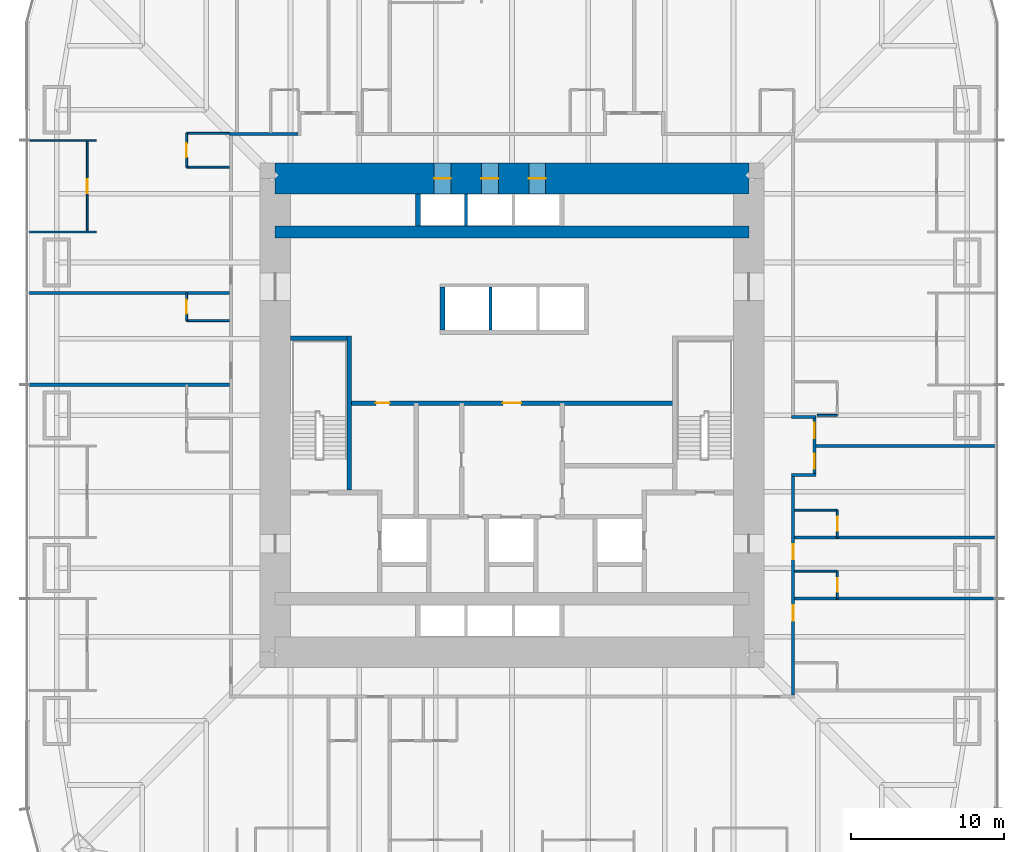
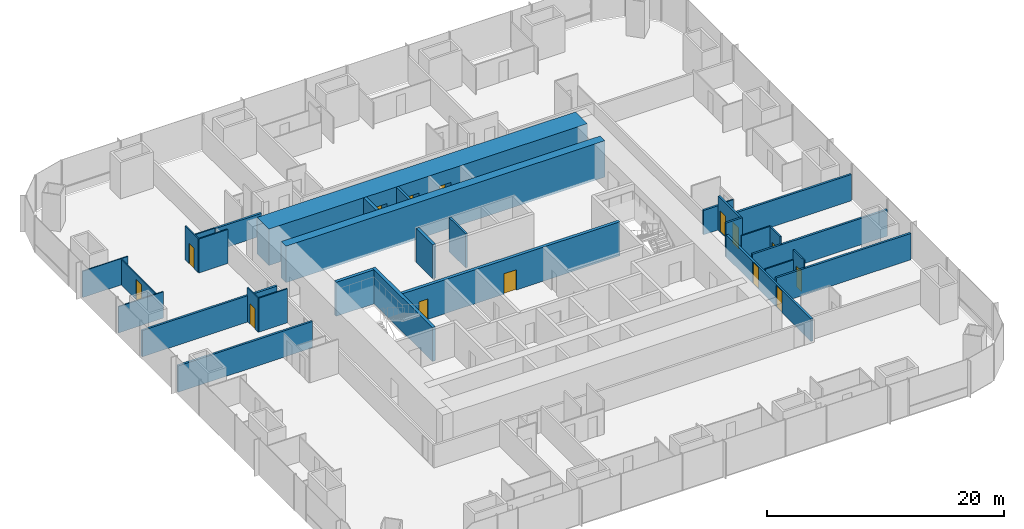
# One storey, part 14 of 17: 32 walls, 14 doors, 14 openings.
"""IFC4 building model written with IfcOpenShell, lengths in metres."""

from ifc_helpers import new_model, si_unit, direction, frame, frame_2d, origin, place, context, subcontext, project, spatial, rectangle, extrude, material, layer, layer_set, type_object, element, fill, save


model = new_model("IFC4")

# Units and contexts
model_context = context("Model", 3, precision=1e-05, world=origin(), true_north=direction((0.0, 1.0)))
body_context = subcontext(model_context, "Body", "Model", "MODEL_VIEW")
ifc_project = project(units=[si_unit("LENGTHUNIT", "METRE"), si_unit("AREAUNIT", "SQUARE_METRE"), si_unit("VOLUMEUNIT", "CUBIC_METRE"), si_unit("PLANEANGLEUNIT", "RADIAN"), si_unit("MASSUNIT", "GRAM", prefix="KILO")], contexts=[model_context])

# Site, building, storey
site_placement = place(None, origin())
site = spatial("IfcSite", under=ifc_project, at=site_placement, CompositionType="ELEMENT")
building_placement = place(site_placement, origin())
building = spatial("IfcBuilding", under=site, at=building_placement, Name="Khuree Lantern Residences", CompositionType="ELEMENT")
storey_placement = place(building_placement, frame((0.0, 0.0, 39.75)))
storey = spatial("IfcBuildingStorey", under=building, at=storey_placement, Name="L09", CompositionType="ELEMENT", Elevation=39.75)

# Wall, opening, door
ifc_material_1 = material(Name="Moisture-resistant gypsum board on steel studs", Category="steel")
ifc_layer_1 = layer(ifc_material_1, 0.125)
ifc_layer_set_1 = layer_set([ifc_layer_1], Name="BATHROOM WALL BTW125")
wall_type_1 = type_object("IfcWallType", Name="BATHROOM WALL BTW125", PredefinedType="PARTITIONING", material=ifc_layer_set_1)
wall_1_placement = place(storey_placement, frame((21.300048828125, -8.0, 0.0), z_axis=(0.0, 0.0, 1.0), x_axis=(0.0, 1.0, 0.0)))
wall_1 = element("IfcWall", 1, at=wall_1_placement, inside=storey, type_object=wall_type_1, Name="L09 BATHROOM WALL 01", PredefinedType="PARTITIONING", context=body_context, shape_type="SweptSolid", body=[
    extrude(rectangle(XDim=1.800048828125, YDim=0.125, at=frame_2d((0.89990234375, 0.0))), origin(), (0.0, 0.0, 1.0), 3.5),
])
opening_1_placement = place(wall_1_placement, frame((0.449951171875, 0.0, 0.0)))
opening_1 = element("IfcOpeningElement", 2, at=opening_1_placement, cuts=wall_1, Name="Opening 09-020", PredefinedType="OPENING", context=body_context, shape_type="SweptSolid", body=[
    extrude(rectangle(XDim=0.89990234375, YDim=2.10009765625, at=frame_2d((0.449951171875, 1.050048828125))), frame((0.0, 0.072509765625, 0.0), z_axis=(0.0, -1.0, 0.0), x_axis=(1.0, 0.0, 0.0)), (0.0, 0.0, 1.0), 0.14501953125),
])
ifc_material_2 = material(Name="Timber door leaf in hardwood frame", Category="wood")
door_type_1 = type_object("IfcDoorType", Name="BATHROOM DOOR 900X2100", OperationType="SINGLE_SWING_LEFT", PredefinedType="DOOR", material=ifc_material_2)
door_1_placement = place(opening_1_placement, origin())
door_1 = element("IfcDoor", 3, at=door_1_placement, inside=storey, type_object=door_type_1, Name="Bathroom door 09-020", OperationType="SINGLE_SWING_LEFT", OverallHeight=2.10009765625, OverallWidth=0.89990234375, PredefinedType="DOOR", context=body_context, shape_type="SweptSolid", body=[
    extrude(rectangle(XDim=0.89990234375, YDim=2.10009765625, at=frame_2d((0.449951171875, 1.050048828125))), frame((0.0, 0.02490234375, 0.0), z_axis=(0.0, -1.0, 0.0), x_axis=(1.0, 0.0, 0.0)), (0.0, 0.0, 1.0), 0.050048828125),
])
fill(opening_1, door_1)

# Walls
wall_2_placement = place(storey_placement, frame((18.5, -6.199951171875, 0.0), z_axis=(0.0, 0.0, 1.0), x_axis=(1.0, 0.0, 0.0)))
element("IfcWall", 4, at=wall_2_placement, inside=storey, type_object=wall_type_1, Name="L09 BATHROOM WALL 01", PredefinedType="PARTITIONING", context=body_context, shape_type="SweptSolid", body=[
    extrude(rectangle(XDim=2.800048828125, YDim=0.125, at=frame_2d((1.39990234375, 0.0))), origin(), (0.0, 0.0, 1.0), 3.5),
])
wall_3_placement = place(storey_placement, frame((19.969970703125, 0.0, 0.0), z_axis=(0.0, 0.0, 1.0), x_axis=(1.0, 0.0, 0.0)))
element("IfcWall", 5, at=wall_3_placement, inside=storey, type_object=wall_type_1, Name="L09 BATHROOM WALL 02", PredefinedType="PARTITIONING", context=body_context, shape_type="SweptSolid", body=[
    extrude(rectangle(XDim=1.330078125, YDim=0.125, at=frame_2d((0.6650390625, 0.0))), origin(), (0.0, 0.0, 1.0), 2.491943359375),
])

# Wall, opening, door
wall_4_placement = place(storey_placement, frame((-21.300048828125, 18.449951171875, 0.0), z_axis=(0.0, 0.0, 1.0), x_axis=(0.0, -1.0, 0.0)))
wall_4 = element("IfcWall", 6, at=wall_4_placement, inside=storey, type_object=wall_type_1, Name="L09 BATHROOM WALL 07", PredefinedType="PARTITIONING", context=body_context, shape_type="SweptSolid", body=[
    extrude(rectangle(XDim=2.199951171875, YDim=0.125, at=frame_2d((1.10009765625, 0.0))), origin(), (0.0, 0.0, 1.0), 3.5),
])
opening_2_placement = place(wall_4_placement, frame((0.64990234375, 0.0, 0.0)))
opening_2 = element("IfcOpeningElement", 7, at=opening_2_placement, cuts=wall_4, Name="Opening 09-039", PredefinedType="OPENING", context=body_context, shape_type="SweptSolid", body=[
    extrude(rectangle(XDim=0.89990234375, YDim=2.10009765625, at=frame_2d((0.449951171875, 1.050048828125))), frame((0.0, 0.072509765625, 0.0), z_axis=(0.0, -1.0, 0.0), x_axis=(1.0, 0.0, 0.0)), (0.0, 0.0, 1.0), 0.14501953125),
])
door_2_placement = place(opening_2_placement, origin())
door_2 = element("IfcDoor", 8, at=door_2_placement, inside=storey, type_object=door_type_1, Name="Bathroom door 09-039", OperationType="SINGLE_SWING_LEFT", OverallHeight=2.10009765625, OverallWidth=0.89990234375, PredefinedType="DOOR", context=body_context, shape_type="SweptSolid", body=[
    extrude(rectangle(XDim=0.89990234375, YDim=2.10009765625, at=frame_2d((0.449951171875, 1.050048828125))), frame((0.0, 0.02490234375, 0.0), z_axis=(0.0, -1.0, 0.0), x_axis=(1.0, 0.0, 0.0)), (0.0, 0.0, 1.0), 0.050048828125),
])
fill(opening_2, door_2)

# Walls
wall_5_placement = place(storey_placement, frame((-18.5, 18.449951171875, 0.0), z_axis=(0.0, 0.0, 1.0), x_axis=(-1.0, 0.0, 0.0)))
element("IfcWall", 9, at=wall_5_placement, inside=storey, type_object=wall_type_1, Name="L09 BATHROOM WALL 07", PredefinedType="PARTITIONING", context=body_context, shape_type="SweptSolid", body=[
    extrude(rectangle(XDim=2.800048828125, YDim=0.125, at=frame_2d((1.39990234375, 0.0))), origin(), (0.0, 0.0, 1.0), 2.300048828125),
])
wall_6_placement = place(storey_placement, frame((-18.5, 16.25, 0.0), z_axis=(0.0, 0.0, 1.0), x_axis=(-1.0, 0.0, 0.0)))
element("IfcWall", 10, at=wall_6_placement, inside=storey, type_object=wall_type_1, Name="L09 BATHROOM WALL 07", PredefinedType="PARTITIONING", context=body_context, shape_type="SweptSolid", body=[
    extrude(rectangle(XDim=2.800048828125, YDim=0.125, at=frame_2d((1.39990234375, 0.0))), origin(), (0.0, 0.0, 1.0), 3.5),
])

# Wall, opening, door
wall_7_placement = place(storey_placement, frame((-21.300048828125, 8.0, 0.0), z_axis=(0.0, 0.0, 1.0), x_axis=(0.0, -1.0, 0.0)))
wall_7 = element("IfcWall", 11, at=wall_7_placement, inside=storey, type_object=wall_type_1, Name="L09 BATHROOM WALL 08", PredefinedType="PARTITIONING", context=body_context, shape_type="SweptSolid", body=[
    extrude(rectangle(XDim=1.800048828125, YDim=0.125, at=frame_2d((0.89990234375, 0.0))), origin(), (0.0, 0.0, 1.0), 3.5),
])
opening_3_placement = place(wall_7_placement, frame((0.449951171875, 0.0, 0.0)))
opening_3 = element("IfcOpeningElement", 12, at=opening_3_placement, cuts=wall_7, Name="Opening 09-041", PredefinedType="OPENING", context=body_context, shape_type="SweptSolid", body=[
    extrude(rectangle(XDim=0.89990234375, YDim=2.10009765625, at=frame_2d((0.449951171875, 1.050048828125))), frame((0.0, 0.072509765625, 0.0), z_axis=(0.0, -1.0, 0.0), x_axis=(1.0, 0.0, 0.0)), (0.0, 0.0, 1.0), 0.14501953125),
])
door_3_placement = place(opening_3_placement, origin())
door_3 = element("IfcDoor", 13, at=door_3_placement, inside=storey, type_object=door_type_1, Name="Bathroom door 09-041", OperationType="SINGLE_SWING_LEFT", OverallHeight=2.10009765625, OverallWidth=0.89990234375, PredefinedType="DOOR", context=body_context, shape_type="SweptSolid", body=[
    extrude(rectangle(XDim=0.89990234375, YDim=2.10009765625, at=frame_2d((0.449951171875, 1.050048828125))), frame((0.0, 0.02490234375, 0.0), z_axis=(0.0, -1.0, 0.0), x_axis=(1.0, 0.0, 0.0)), (0.0, 0.0, 1.0), 0.050048828125),
])
fill(opening_3, door_3)

# Wall
wall_8_placement = place(storey_placement, frame((-18.5, 6.199951171875, 0.0), z_axis=(0.0, 0.0, 1.0), x_axis=(-1.0, 0.0, 0.0)))
element("IfcWall", 14, at=wall_8_placement, inside=storey, type_object=wall_type_1, Name="L09 BATHROOM WALL 08", PredefinedType="PARTITIONING", context=body_context, shape_type="SweptSolid", body=[
    extrude(rectangle(XDim=2.800048828125, YDim=0.125, at=frame_2d((1.39990234375, 0.0))), origin(), (0.0, 0.0, 1.0), 3.5),
])

# Wall, opening, door
wall_9_placement = place(storey_placement, frame((21.300048828125, -12.0, 0.0), z_axis=(0.0, 0.0, 1.0), x_axis=(0.0, 1.0, 0.0)))
wall_9 = element("IfcWall", 15, at=wall_9_placement, inside=storey, type_object=wall_type_1, Name="L09 BATHROOM WALL 13", PredefinedType="PARTITIONING", context=body_context, shape_type="SweptSolid", body=[
    extrude(rectangle(XDim=1.800048828125, YDim=0.125, at=frame_2d((0.89990234375, 0.0))), origin(), (0.0, 0.0, 1.0), 3.5),
])
opening_4_placement = place(wall_9_placement, frame((0.449951171875, 0.0, 0.0)))
opening_4 = element("IfcOpeningElement", 16, at=opening_4_placement, cuts=wall_9, Name="Opening 09-061", PredefinedType="OPENING", context=body_context, shape_type="SweptSolid", body=[
    extrude(rectangle(XDim=0.89990234375, YDim=2.10009765625, at=frame_2d((0.449951171875, 1.050048828125))), frame((0.0, 0.072509765625, 0.0), z_axis=(0.0, -1.0, 0.0), x_axis=(1.0, 0.0, 0.0)), (0.0, 0.0, 1.0), 0.14501953125),
])
door_4_placement = place(opening_4_placement, origin())
door_4 = element("IfcDoor", 17, at=door_4_placement, inside=storey, type_object=door_type_1, Name="Bathroom door 09-061", OperationType="SINGLE_SWING_LEFT", OverallHeight=2.10009765625, OverallWidth=0.89990234375, PredefinedType="DOOR", context=body_context, shape_type="SweptSolid", body=[
    extrude(rectangle(XDim=0.89990234375, YDim=2.10009765625, at=frame_2d((0.449951171875, 1.050048828125))), frame((0.0, 0.02490234375, 0.0), z_axis=(0.0, -1.0, 0.0), x_axis=(1.0, 0.0, 0.0)), (0.0, 0.0, 1.0), 0.050048828125),
])
fill(opening_4, door_4)

# Walls
wall_10_placement = place(storey_placement, frame((18.5, -10.199951171875, 0.0), z_axis=(0.0, 0.0, 1.0), x_axis=(1.0, 0.0, 0.0)))
element("IfcWall", 18, at=wall_10_placement, inside=storey, type_object=wall_type_1, Name="L09 BATHROOM WALL 13", PredefinedType="PARTITIONING", context=body_context, shape_type="SweptSolid", body=[
    extrude(rectangle(XDim=2.800048828125, YDim=0.125, at=frame_2d((1.39990234375, 0.0))), origin(), (0.0, 0.0, 1.0), 2.491943359375),
])
ifc_material_3 = material(Name="Dense concrete blockwork", Category="masonry")
ifc_layer_2 = layer(ifc_material_3, 0.300048828125)
ifc_layer_set_2 = layer_set([ifc_layer_2], Name="CORE PARTITION WALL CPW300 EI 120")
wall_type_2 = type_object("IfcWallType", Name="CORE PARTITION WALL CPW300 EI 120", PredefinedType="PARTITIONING", material=ifc_layer_set_2)
wall_11_placement = place(storey_placement, frame((-4.550048828125, 5.60009765625, 0.0), z_axis=(0.0, 0.0, 1.0), x_axis=(0.0, 1.0, 0.0)))
element("IfcWall", 19, at=wall_11_placement, inside=storey, type_object=wall_type_2, Name="L09 CORE WALL PHW", PredefinedType="PARTITIONING", context=body_context, shape_type="SweptSolid", body=[
    extrude(rectangle(XDim=2.7998046875, YDim=0.300048828125, at=frame_2d((1.39990234375, 0.0))), origin(), (0.0, 0.0, 1.0), 3.5),
])
wall_12_placement = place(storey_placement, frame((-6.14990234375, 12.39990234375, 0.0), z_axis=(0.0, 0.0, 1.0), x_axis=(0.0, 1.0, 0.0)))
element("IfcWall", 20, at=wall_12_placement, inside=storey, type_object=wall_type_2, Name="L09 CORE WALL PLW", PredefinedType="PARTITIONING", context=body_context, shape_type="SweptSolid", body=[
    extrude(rectangle(XDim=2.10009765625, YDim=0.300048828125, at=frame_2d((1.050048828125, 0.0))), origin(), (0.0, 0.0, 1.0), 3.5),
])

# Wall, openings, doors
wall_13_placement = place(storey_placement, frame((-10.64990234375, 0.800048828125, 0.0), z_axis=(0.0, 0.0, 1.0), x_axis=(1.0, 0.0, 0.0)))
wall_13 = element("IfcWall", 21, at=wall_13_placement, inside=storey, type_object=wall_type_2, Name="L09 CORE WALL LLS", PredefinedType="PARTITIONING", context=body_context, shape_type="SweptSolid", body=[
    extrude(rectangle(XDim=21.2998046875, YDim=0.300048828125, at=frame_2d((10.64990234375, 0.0))), origin(), (0.0, 0.0, 1.0), 3.5),
])
opening_5_placement = place(wall_13_placement, frame((10.050048828125, 0.0, 0.0)))
opening_5 = element("IfcOpeningElement", 22, at=opening_5_placement, cuts=wall_13, Name="Opening 09-013", PredefinedType="OPENING", context=body_context, shape_type="SweptSolid", body=[
    extrude(rectangle(XDim=1.199951171875, YDim=2.10009765625, at=frame_2d((0.60009765625, 1.050048828125))), frame((0.0, 0.16015625, 0.0), z_axis=(0.0, -1.0, 0.0), x_axis=(1.0, 0.0, 0.0)), (0.0, 0.0, 1.0), 0.320068359375),
])
opening_6_placement = place(wall_13_placement, frame((1.739990234375, 0.0, 0.0)))
opening_6 = element("IfcOpeningElement", 23, at=opening_6_placement, cuts=wall_13, Name="Opening 09-017", PredefinedType="OPENING", context=body_context, shape_type="SweptSolid", body=[
    extrude(rectangle(XDim=0.89990234375, YDim=2.10009765625, at=frame_2d((0.449951171875, 1.050048828125))), frame((0.0, 0.16015625, 0.0), z_axis=(0.0, -1.0, 0.0), x_axis=(1.0, 0.0, 0.0)), (0.0, 0.0, 1.0), 0.320068359375),
])
ifc_material_4 = material(Name="Steel door leaf in steel frame", Category="steel")
door_type_2 = type_object("IfcDoorType", Name="DOOR 1200X2100 EI 60", OperationType="SINGLE_SWING_LEFT", PredefinedType="DOOR", material=ifc_material_4)
door_5_placement = place(opening_5_placement, origin())
door_5 = element("IfcDoor", 24, at=door_5_placement, inside=storey, type_object=door_type_2, Name="Service lift lobby door 09-013", OperationType="SINGLE_SWING_LEFT", OverallHeight=2.10009765625, OverallWidth=1.199951171875, PredefinedType="DOOR", context=body_context, shape_type="SweptSolid", body=[
    extrude(rectangle(XDim=1.199951171875, YDim=2.10009765625, at=frame_2d((0.60009765625, 1.050048828125))), frame((0.0, 0.02490234375, 0.0), z_axis=(0.0, -1.0, 0.0), x_axis=(1.0, 0.0, 0.0)), (0.0, 0.0, 1.0), 0.050048828125),
])
fill(opening_5, door_5)
door_type_3 = type_object("IfcDoorType", Name="DOOR 900X2100", OperationType="SINGLE_SWING_LEFT", PredefinedType="DOOR", material=ifc_material_2)
door_6_placement = place(opening_6_placement, origin())
door_6 = element("IfcDoor", 25, at=door_6_placement, inside=storey, type_object=door_type_3, Name="Residents' store door 09-017", OperationType="SINGLE_SWING_LEFT", OverallHeight=2.10009765625, OverallWidth=0.89990234375, PredefinedType="DOOR", context=body_context, shape_type="SweptSolid", body=[
    extrude(rectangle(XDim=0.89990234375, YDim=2.10009765625, at=frame_2d((0.449951171875, 1.050048828125))), frame((0.0, 0.02490234375, 0.0), z_axis=(0.0, -1.0, 0.0), x_axis=(1.0, 0.0, 0.0)), (0.0, 0.0, 1.0), 0.050048828125),
])
fill(opening_6, door_6)

ifc_material_5 = material(Name="Gypsum board on steel studs", Category="steel")
ifc_layer_3 = layer(ifc_material_5, 0.199951171875)
ifc_layer_set_3 = layer_set([ifc_layer_3], Name="CORRIDOR WALL CRW200 EI 60")
wall_type_3 = type_object("IfcWallType", Name="CORRIDOR WALL CRW200 EI 60", PredefinedType="PARTITIONING", material=ifc_layer_set_3)
wall_14_placement = place(storey_placement, frame((18.39990234375, -18.300048828125, 0.0), z_axis=(0.0, 0.0, 1.0), x_axis=(0.0, 1.0, 0.0)))
wall_14 = element("IfcWall", 26, at=wall_14_placement, inside=storey, type_object=wall_type_3, Name="L09 CORRIDOR WALL EAST 1", PredefinedType="PARTITIONING", context=body_context, shape_type="SweptSolid", body=[
    extrude(rectangle(XDim=14.300048828125, YDim=0.199951171875, at=frame_2d((7.14990234375, 0.0))), origin(), (0.0, 0.0, 1.0), 2.300048828125),
])
opening_7_placement = place(wall_14_placement, frame((4.8701171875, 0.0, 0.0)))
opening_7 = element("IfcOpeningElement", 27, at=opening_7_placement, cuts=wall_14, Name="Opening 09-060", PredefinedType="OPENING", context=body_context, shape_type="SweptSolid", body=[
    extrude(rectangle(XDim=1.0, YDim=2.199951171875, at=frame_2d((0.5, 1.10009765625))), frame((0.0, 0.10986328125, 0.0), z_axis=(0.0, -1.0, 0.0), x_axis=(1.0, 0.0, 0.0)), (0.0, 0.0, 1.0), 0.219970703125),
])
opening_8_placement = place(wall_14_placement, frame((8.8701171875, 0.0, 0.0)))
opening_8 = element("IfcOpeningElement", 28, at=opening_8_placement, cuts=wall_14, Name="Opening 09-062", PredefinedType="OPENING", context=body_context, shape_type="SweptSolid", body=[
    extrude(rectangle(XDim=1.0, YDim=2.199951171875, at=frame_2d((0.5, 1.10009765625))), frame((0.0, 0.10986328125, 0.0), z_axis=(0.0, -1.0, 0.0), x_axis=(1.0, 0.0, 0.0)), (0.0, 0.0, 1.0), 0.219970703125),
])
door_type_4 = type_object("IfcDoorType", Name="APARTMENT ENTRANCE DOOR 1000X2200 EI 30S", OperationType="SINGLE_SWING_LEFT", PredefinedType="DOOR", material=ifc_material_2)
door_7_placement = place(opening_7_placement, origin())
door_7 = element("IfcDoor", 29, at=door_7_placement, inside=storey, type_object=door_type_4, Name="Apartment 12 entrance door 09-060", OperationType="SINGLE_SWING_LEFT", OverallHeight=2.199951171875, OverallWidth=1.0, PredefinedType="DOOR", context=body_context, shape_type="SweptSolid", body=[
    extrude(rectangle(XDim=1.0, YDim=2.199951171875, at=frame_2d((0.5, 1.10009765625))), frame((0.0, 0.02490234375, 0.0), z_axis=(0.0, -1.0, 0.0), x_axis=(1.0, 0.0, 0.0)), (0.0, 0.0, 1.0), 0.050048828125),
])
fill(opening_7, door_7)
door_8_placement = place(opening_8_placement, origin())
door_8 = element("IfcDoor", 30, at=door_8_placement, inside=storey, type_object=door_type_4, Name="Apartment 13 entrance door 09-062", OperationType="SINGLE_SWING_LEFT", OverallHeight=2.199951171875, OverallWidth=1.0, PredefinedType="DOOR", context=body_context, shape_type="SweptSolid", body=[
    extrude(rectangle(XDim=1.0, YDim=2.199951171875, at=frame_2d((0.5, 1.10009765625))), frame((0.0, 0.02490234375, 0.0), z_axis=(0.0, -1.0, 0.0), x_axis=(1.0, 0.0, 0.0)), (0.0, 0.0, 1.0), 0.050048828125),
])
fill(opening_8, door_8)

# Walls
wall_15_placement = place(storey_placement, frame((18.300048828125, -3.89990234375, 0.0), z_axis=(0.0, 0.0, 1.0), x_axis=(1.0, 0.0, 0.0)))
element("IfcWall", 31, at=wall_15_placement, inside=storey, type_object=wall_type_3, Name="L09 CORRIDOR ALCOVE WALL EAST", PredefinedType="PARTITIONING", context=body_context, shape_type="SweptSolid", body=[
    extrude(rectangle(XDim=1.599853515625, YDim=0.199951171875, at=frame_2d((0.7998046875, 0.0))), origin(), (0.0, 0.0, 1.0), 3.5),
])
wall_16_placement = place(storey_placement, frame((18.300048828125, -0.10009765625, 0.0), z_axis=(0.0, 0.0, 1.0), x_axis=(1.0, 0.0, 0.0)))
element("IfcWall", 32, at=wall_16_placement, inside=storey, type_object=wall_type_3, Name="L09 CORRIDOR ALCOVE WALL EAST", PredefinedType="PARTITIONING", context=body_context, shape_type="SweptSolid", body=[
    extrude(rectangle(XDim=1.599853515625, YDim=0.199951171875, at=frame_2d((0.7998046875, 0.0))), origin(), (0.0, 0.0, 1.0), 2.491943359375),
])

# Wall, openings, doors
wall_17_placement = place(storey_placement, frame((19.800048828125, -3.800048828125, 0.0), z_axis=(0.0, 0.0, 1.0), x_axis=(0.0, 1.0, 0.0)))
wall_17 = element("IfcWall", 33, at=wall_17_placement, inside=storey, type_object=wall_type_3, Name="L09 CORRIDOR ALCOVE WALL EAST", PredefinedType="PARTITIONING", context=body_context, shape_type="SweptSolid", body=[
    extrude(rectangle(XDim=3.60009765625, YDim=0.199951171875, at=frame_2d((1.800048828125, 0.0))), origin(), (0.0, 0.0, 1.0), 3.5),
])
opening_9_placement = place(wall_17_placement, frame((0.300048828125, 0.0, 0.0)))
opening_9 = element("IfcOpeningElement", 34, at=opening_9_placement, cuts=wall_17, Name="Opening 09-021", PredefinedType="OPENING", context=body_context, shape_type="SweptSolid", body=[
    extrude(rectangle(XDim=1.0, YDim=2.199951171875, at=frame_2d((0.5, 1.10009765625))), frame((0.0, 0.10986328125, 0.0), z_axis=(0.0, -1.0, 0.0), x_axis=(1.0, 0.0, 0.0)), (0.0, 0.0, 1.0), 0.219970703125),
])
opening_10_placement = place(wall_17_placement, frame((2.300048828125, 0.0, 0.0)))
opening_10 = element("IfcOpeningElement", 35, at=opening_10_placement, cuts=wall_17, Name="Opening 09-025", PredefinedType="OPENING", context=body_context, shape_type="SweptSolid", body=[
    extrude(rectangle(XDim=1.0, YDim=2.199951171875, at=frame_2d((0.5, 1.10009765625))), frame((0.0, 0.10986328125, 0.0), z_axis=(0.0, -1.0, 0.0), x_axis=(1.0, 0.0, 0.0)), (0.0, 0.0, 1.0), 0.219970703125),
])
door_9_placement = place(opening_9_placement, origin())
door_9 = element("IfcDoor", 36, at=door_9_placement, inside=storey, type_object=door_type_4, Name="Apartment 01 entrance door 09-021", OperationType="SINGLE_SWING_LEFT", OverallHeight=2.199951171875, OverallWidth=1.0, PredefinedType="DOOR", context=body_context, shape_type="SweptSolid", body=[
    extrude(rectangle(XDim=1.0, YDim=2.199951171875, at=frame_2d((0.5, 1.10009765625))), frame((0.0, 0.02490234375, 0.0), z_axis=(0.0, -1.0, 0.0), x_axis=(1.0, 0.0, 0.0)), (0.0, 0.0, 1.0), 0.050048828125),
])
fill(opening_9, door_9)
door_type_5 = type_object("IfcDoorType", Name="APARTMENT ENTRANCE DOOR 1000X2200 EI 30S RIGHT HAND", OperationType="SINGLE_SWING_RIGHT", PredefinedType="DOOR", material=ifc_material_2)
door_10_placement = place(opening_10_placement, origin())
door_10 = element("IfcDoor", 37, at=door_10_placement, inside=storey, type_object=door_type_5, Name="Apartment 02 entrance door 09-025", OperationType="SINGLE_SWING_RIGHT", OverallHeight=2.199951171875, OverallWidth=1.0, PredefinedType="DOOR", context=body_context, shape_type="SweptSolid", body=[
    extrude(rectangle(XDim=1.0, YDim=2.199951171875, at=frame_2d((0.5, 1.10009765625))), frame((0.0, 0.02490234375, 0.0), z_axis=(0.0, -1.0, 0.0), x_axis=(1.0, 0.0, 0.0)), (0.0, 0.0, 1.0), 0.050048828125),
])
fill(opening_10, door_10)

# Wall
wall_18_placement = place(storey_placement, frame((-18.5, 18.39990234375, 0.0), z_axis=(0.0, 0.0, 1.0), x_axis=(1.0, 0.0, 0.0)))
element("IfcWall", 38, at=wall_18_placement, inside=storey, type_object=wall_type_3, Name="L09 CORRIDOR WALL NORTH 1", PredefinedType="PARTITIONING", context=body_context, shape_type="SweptSolid", body=[
    extrude(rectangle(XDim=4.5, YDim=0.199951171875, at=frame_2d((2.25, 0.0))), origin(), (0.0, 0.0, 1.0), 2.300048828125),
])

# Wall, openings, doors
ifc_material_6 = material(Name="Concrete C70/85", Category="concrete")
ifc_layer_4 = layer(ifc_material_6, 2.0)
ifc_layer_set_4 = layer_set([ifc_layer_4], Name="CW2000-C70 CORE WALL C70 2000")
wall_type_4 = type_object("IfcWallType", Name="CW2000-C70 CORE WALL C70 2000", PredefinedType="SHEAR", material=ifc_layer_set_4)
wall_19_placement = place(storey_placement, frame((-15.5, 15.5, -0.25), z_axis=(0.0, 0.0, 1.0), x_axis=(1.0, 0.0, 0.0)))
wall_19 = element("IfcWall", 39, at=wall_19_placement, inside=storey, type_object=wall_type_4, Name="Core wall N", PredefinedType="SHEAR", context=body_context, shape_type="SweptSolid", body=[
    extrude(rectangle(XDim=31.0, YDim=2.0, at=frame_2d((15.5, 0.0))), origin(), (0.0, 0.0, 1.0), 3.75),
])
opening_11_placement = place(wall_19_placement, frame((10.39990234375, 0.0, 0.25)))
opening_11 = element("IfcOpeningElement", 40, at=opening_11_placement, cuts=wall_19, Name="Opening 09-009", PredefinedType="OPENING", context=body_context, shape_type="SweptSolid", body=[
    extrude(rectangle(XDim=1.10009765625, YDim=2.10009765625, at=frame_2d((0.550048828125, 1.050048828125))), frame((0.0, 1.010009765625, 0.0), z_axis=(0.0, -1.0, 0.0), x_axis=(1.0, 0.0, 0.0)), (0.0, 0.0, 1.0), 2.02001953125),
])
opening_12_placement = place(wall_19_placement, frame((13.5, 0.0, 0.25)))
opening_12 = element("IfcOpeningElement", 41, at=opening_12_placement, cuts=wall_19, Name="Opening 09-010", PredefinedType="OPENING", context=body_context, shape_type="SweptSolid", body=[
    extrude(rectangle(XDim=1.10009765625, YDim=2.10009765625, at=frame_2d((0.550048828125, 1.050048828125))), frame((0.0, 1.010009765625, 0.0), z_axis=(0.0, -1.0, 0.0), x_axis=(1.0, 0.0, 0.0)), (0.0, 0.0, 1.0), 2.02001953125),
])
opening_13_placement = place(wall_19_placement, frame((16.60009765625, 0.0, 0.25)))
opening_13 = element("IfcOpeningElement", 42, at=opening_13_placement, cuts=wall_19, Name="Opening 09-011", PredefinedType="OPENING", context=body_context, shape_type="SweptSolid", body=[
    extrude(rectangle(XDim=1.10009765625, YDim=2.10009765625, at=frame_2d((0.550048828125, 1.050048828125))), frame((0.0, 1.010009765625, 0.0), z_axis=(0.0, -1.0, 0.0), x_axis=(1.0, 0.0, 0.0)), (0.0, 0.0, 1.0), 2.02001953125),
])
ifc_material_7 = material(Name="Stainless steel lift landing door", Category="steel")
door_type_6 = type_object("IfcDoorType", Name="LIFT LANDING DOOR 1100X2100 E 60", OperationType="DOUBLE_DOOR_SLIDING", PredefinedType="DOOR", material=ifc_material_7)
door_11_placement = place(opening_11_placement, origin())
door_11 = element("IfcDoor", 43, at=door_11_placement, inside=storey, type_object=door_type_6, Name="Landing door PL1 09-009", OperationType="DOUBLE_DOOR_SLIDING", OverallHeight=2.10009765625, OverallWidth=1.10009765625, PredefinedType="DOOR", context=body_context, shape_type="SweptSolid", body=[
    extrude(rectangle(XDim=1.10009765625, YDim=2.10009765625, at=frame_2d((0.550048828125, 1.050048828125))), frame((0.0, 0.02490234375, 0.0), z_axis=(0.0, -1.0, 0.0), x_axis=(1.0, 0.0, 0.0)), (0.0, 0.0, 1.0), 0.050048828125),
])
fill(opening_11, door_11)
door_12_placement = place(opening_12_placement, origin())
door_12 = element("IfcDoor", 44, at=door_12_placement, inside=storey, type_object=door_type_6, Name="Landing door PL2 09-010", OperationType="DOUBLE_DOOR_SLIDING", OverallHeight=2.10009765625, OverallWidth=1.10009765625, PredefinedType="DOOR", context=body_context, shape_type="SweptSolid", body=[
    extrude(rectangle(XDim=1.10009765625, YDim=2.10009765625, at=frame_2d((0.550048828125, 1.050048828125))), frame((0.0, 0.02490234375, 0.0), z_axis=(0.0, -1.0, 0.0), x_axis=(1.0, 0.0, 0.0)), (0.0, 0.0, 1.0), 0.050048828125),
])
fill(opening_12, door_12)
door_13_placement = place(opening_13_placement, origin())
door_13 = element("IfcDoor", 45, at=door_13_placement, inside=storey, type_object=door_type_6, Name="Landing door PL3 09-011", OperationType="DOUBLE_DOOR_SLIDING", OverallHeight=2.10009765625, OverallWidth=1.10009765625, PredefinedType="DOOR", context=body_context, shape_type="SweptSolid", body=[
    extrude(rectangle(XDim=1.10009765625, YDim=2.10009765625, at=frame_2d((0.550048828125, 1.050048828125))), frame((0.0, 0.02490234375, 0.0), z_axis=(0.0, -1.0, 0.0), x_axis=(1.0, 0.0, 0.0)), (0.0, 0.0, 1.0), 0.050048828125),
])
fill(opening_13, door_13)

# Walls
ifc_layer_5 = layer(ifc_material_5, 0.199951171875)
ifc_layer_set_5 = layer_set([ifc_layer_5], Name="DEMISING WALL DMW200 EI 90")
wall_type_5 = type_object("IfcWallType", Name="DEMISING WALL DMW200 EI 90", PredefinedType="PARTITIONING", material=ifc_layer_set_5)
wall_20_placement = place(storey_placement, frame((18.5, -8.0, 0.0), z_axis=(0.0, 0.0, 1.0), x_axis=(1.0, 0.0, 0.0)))
element("IfcWall", 46, at=wall_20_placement, inside=storey, type_object=wall_type_5, Name="L09 DEMISING WALL 01", PredefinedType="PARTITIONING", context=body_context, shape_type="SweptSolid", body=[
    extrude(rectangle(XDim=13.10009765625, YDim=0.199951171875, at=frame_2d((6.550048828125, 0.0))), origin(), (0.0, 0.0, 1.0), 2.7099609375),
])
wall_21_placement = place(storey_placement, frame((19.89990234375, -2.0, 0.0), z_axis=(0.0, 0.0, 1.0), x_axis=(1.0, 0.0, 0.0)))
element("IfcWall", 47, at=wall_21_placement, inside=storey, type_object=wall_type_5, Name="L09 DEMISING WALL 02", PredefinedType="PARTITIONING", context=body_context, shape_type="SweptSolid", body=[
    extrude(rectangle(XDim=11.7001953125, YDim=0.199951171875, at=frame_2d((5.85009765625, 0.0))), origin(), (0.0, 0.0, 1.0), 2.7099609375),
])
for number, where, z_axis, x_axis, name in (
    (48, (-18.5, 8.0, 0.0), (0.0, 0.0, 1.0), (-1.0, 0.0, 0.0), "L09 DEMISING WALL 08"),
    (49, (-18.5, 2.0, 0.0), (0.0, 0.0, 1.0), (-1.0, 0.0, 0.0), "L09 DEMISING WALL 09"),
    (50, (18.5, -12.0, 0.0), (0.0, 0.0, 1.0), (1.0, 0.0, 0.0), "L09 DEMISING WALL 13"),
):
    element("IfcWall", number, at=place(storey_placement, frame(where, z_axis=z_axis, x_axis=x_axis)), inside=storey, type_object=wall_type_5, Name=name, PredefinedType="PARTITIONING", context=body_context, shape_type="SweptSolid", body=[
        extrude(rectangle(XDim=13.10009765625, YDim=0.199951171875, at=frame_2d((6.550048828125, 0.0))), origin(), (0.0, 0.0, 1.0), 2.7099609375),
    ])
ifc_layer_6 = layer(ifc_material_5, 0.10009765625)
ifc_layer_set_6 = layer_set([ifc_layer_6], Name="PARTITION PT100")
wall_type_6 = type_object("IfcWallType", Name="PARTITION PT100", PredefinedType="PARTITIONING", material=ifc_layer_set_6)
for number, where, z_axis, x_axis, name in (
    (51, (-27.199951171875, 18.0, 0.0), (0.0, 0.0, 1.0), (-1.0, 0.0, 0.0), "L09 PARTITION 07"),
    (52, (-27.199951171875, 12.0, 0.0), (0.0, 0.0, 1.0), (-1.0, 0.0, 0.0), "L09 PARTITION 07"),
):
    element("IfcWall", number, at=place(storey_placement, frame(where, z_axis=z_axis, x_axis=x_axis)), inside=storey, type_object=wall_type_6, Name=name, PredefinedType="PARTITIONING", context=body_context, shape_type="SweptSolid", body=[
        extrude(rectangle(XDim=4.400146484375, YDim=0.10009765625, at=frame_2d((2.2001953125, 0.0))), origin(), (0.0, 0.0, 1.0), 2.7099609375),
    ])

# Wall, opening, door
wall_22_placement = place(storey_placement, frame((-27.800048828125, 18.0, 0.0), z_axis=(0.0, 0.0, 1.0), x_axis=(0.0, -1.0, 0.0)))
wall_22 = element("IfcWall", 53, at=wall_22_placement, inside=storey, type_object=wall_type_6, Name="L09 PARTITION 07", PredefinedType="PARTITIONING", context=body_context, shape_type="SweptSolid", body=[
    extrude(rectangle(XDim=6.0, YDim=0.10009765625, at=frame_2d((3.0, 0.0))), origin(), (0.0, 0.0, 1.0), 2.610107421875),
])
opening_14_placement = place(wall_22_placement, frame((2.550048828125, 0.0, 0.0)))
opening_14 = element("IfcOpeningElement", 54, at=opening_14_placement, cuts=wall_22, Name="Opening 09-038", PredefinedType="OPENING", context=body_context, shape_type="SweptSolid", body=[
    extrude(rectangle(XDim=0.89990234375, YDim=2.10009765625, at=frame_2d((0.449951171875, 1.050048828125))), frame((0.0, 0.06005859375, 0.0), z_axis=(0.0, -1.0, 0.0), x_axis=(1.0, 0.0, 0.0)), (0.0, 0.0, 1.0), 0.1201171875),
])
door_type_7 = type_object("IfcDoorType", Name="BEDROOM DOOR 900X2100", OperationType="SINGLE_SWING_LEFT", PredefinedType="DOOR", material=ifc_material_2)
door_14_placement = place(opening_14_placement, origin())
door_14 = element("IfcDoor", 55, at=door_14_placement, inside=storey, type_object=door_type_7, Name="Bedroom door 09-038", OperationType="SINGLE_SWING_LEFT", OverallHeight=2.10009765625, OverallWidth=0.89990234375, PredefinedType="DOOR", context=body_context, shape_type="SweptSolid", body=[
    extrude(rectangle(XDim=0.89990234375, YDim=2.10009765625, at=frame_2d((0.449951171875, 1.050048828125))), frame((0.0, 0.02490234375, 0.0), z_axis=(0.0, -1.0, 0.0), x_axis=(1.0, 0.0, 0.0)), (0.0, 0.0, 1.0), 0.050048828125),
])
fill(opening_14, door_14)

# Walls
ifc_layer_7 = layer(ifc_material_3, 0.199951171875)
ifc_layer_set_7 = layer_set([ifc_layer_7], Name="SHAFT WALL SHW200 EI 120")
wall_type_7 = type_object("IfcWallType", Name="SHAFT WALL SHW200 EI 120", PredefinedType="PARTITIONING", material=ifc_layer_set_7)
wall_23_placement = place(storey_placement, frame((-1.39990234375, 5.60009765625, 0.0), z_axis=(0.0, 0.0, 1.0), x_axis=(0.0, 1.0, 0.0)))
element("IfcWall", 56, at=wall_23_placement, inside=storey, type_object=wall_type_7, Name="L09 CORE WALL PHD1", PredefinedType="PARTITIONING", context=body_context, shape_type="SweptSolid", body=[
    extrude(rectangle(XDim=2.7998046875, YDim=0.199951171875, at=frame_2d((1.39990234375, 0.0))), origin(), (0.0, 0.0, 1.0), 3.5),
])
wall_24_placement = place(storey_placement, frame((-3.0, 12.39990234375, 0.0), z_axis=(0.0, 0.0, 1.0), x_axis=(0.0, 1.0, 0.0)))
element("IfcWall", 57, at=wall_24_placement, inside=storey, type_object=wall_type_7, Name="L09 CORE WALL PLD1", PredefinedType="PARTITIONING", context=body_context, shape_type="SweptSolid", body=[
    extrude(rectangle(XDim=2.10009765625, YDim=0.199951171875, at=frame_2d((1.050048828125, 0.0))), origin(), (0.0, 0.0, 1.0), 3.5),
])
ifc_layer_8 = layer(ifc_material_6, 0.800048828125)
ifc_layer_set_8 = layer_set([ifc_layer_8], Name="SP800-C70 CORE SPINE WALL C70 800")
wall_type_8 = type_object("IfcWallType", Name="SP800-C70 CORE SPINE WALL C70 800", PredefinedType="SHEAR", material=ifc_layer_set_8)
wall_25_placement = place(storey_placement, frame((-15.5, 12.0, -0.25), z_axis=(0.0, 0.0, 1.0), x_axis=(1.0, 0.0, 0.0)))
element("IfcWall", 58, at=wall_25_placement, inside=storey, type_object=wall_type_8, Name="Core wall SPN", PredefinedType="SHEAR", context=body_context, shape_type="SweptSolid", body=[
    extrude(rectangle(XDim=31.0, YDim=0.800048828125, at=frame_2d((15.5, 0.0))), origin(), (0.0, 0.0, 1.0), 3.75),
])
ifc_material_8 = material(Name="Concrete C50/60", Category="concrete")
ifc_layer_9 = layer(ifc_material_8, 0.300048828125)
ifc_layer_set_9 = layer_set([ifc_layer_9], Name="STAIR WALL SRW300 C50/60 REI 240")
wall_type_9 = type_object("IfcWallType", Name="STAIR WALL SRW300 C50/60 REI 240", PredefinedType="SOLIDWALL", material=ifc_layer_set_9)
wall_26_placement = place(storey_placement, frame((-10.64990234375, -4.89990234375, 0.0), z_axis=(0.0, 0.0, 1.0), x_axis=(0.0, 1.0, 0.0)))
element("IfcWall", 59, at=wall_26_placement, inside=storey, type_object=wall_type_9, Name="L09 STAIR WALL ST1E", PredefinedType="SOLIDWALL", context=body_context, shape_type="SweptSolid", body=[
    extrude(rectangle(XDim=10.099853515625, YDim=0.300048828125, at=frame_2d((5.0498046875, 0.0))), origin(), (0.0, 0.0, 1.0), 3.5),
])
wall_27_placement = place(storey_placement, frame((-14.5, 5.050048828125, 0.0), z_axis=(0.0, 0.0, 1.0), x_axis=(1.0, 0.0, 0.0)))
element("IfcWall", 60, at=wall_27_placement, inside=storey, type_object=wall_type_9, Name="L09 STAIR WALL ST1N", PredefinedType="SOLIDWALL", context=body_context, shape_type="SweptSolid", body=[
    extrude(rectangle(XDim=3.699951171875, YDim=0.300048828125, at=frame_2d((1.85009765625, 0.0))), origin(), (0.0, 0.0, 1.0), 3.5),
])

save(model, "model.ifc")
